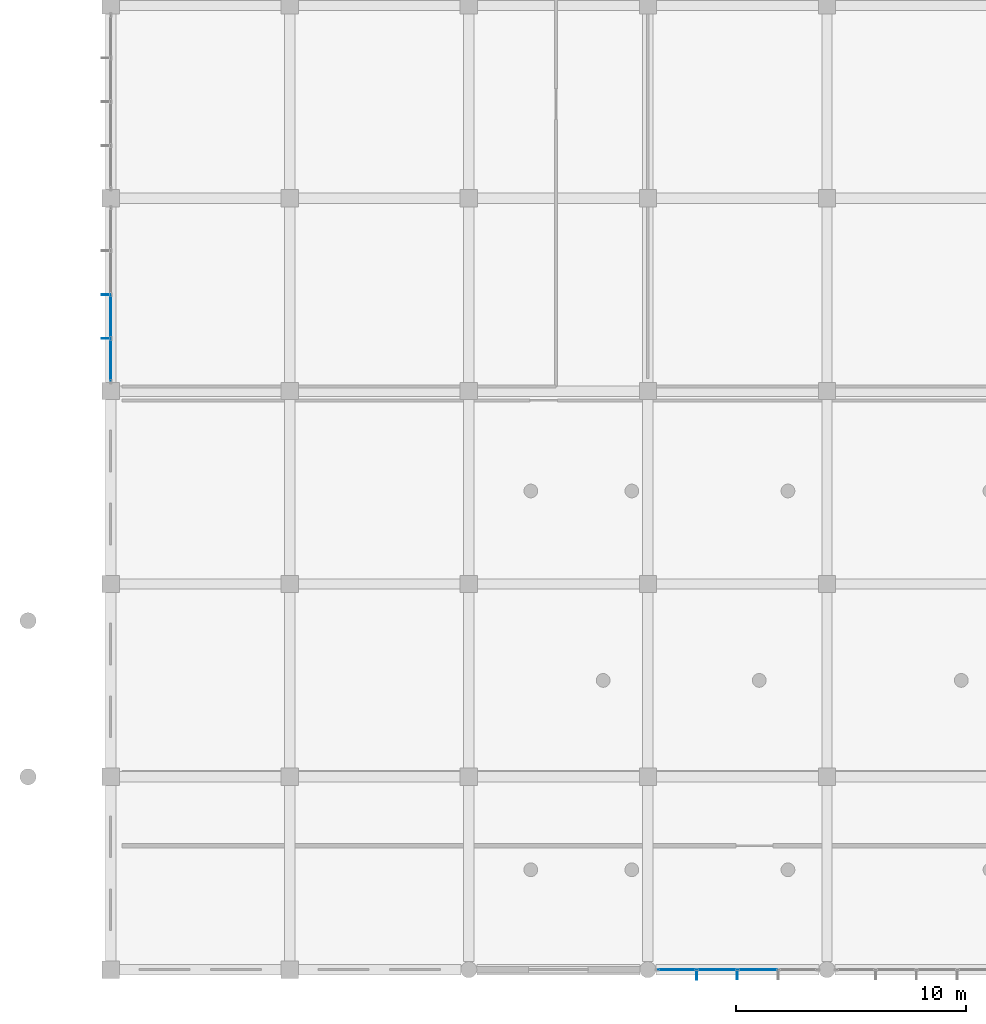
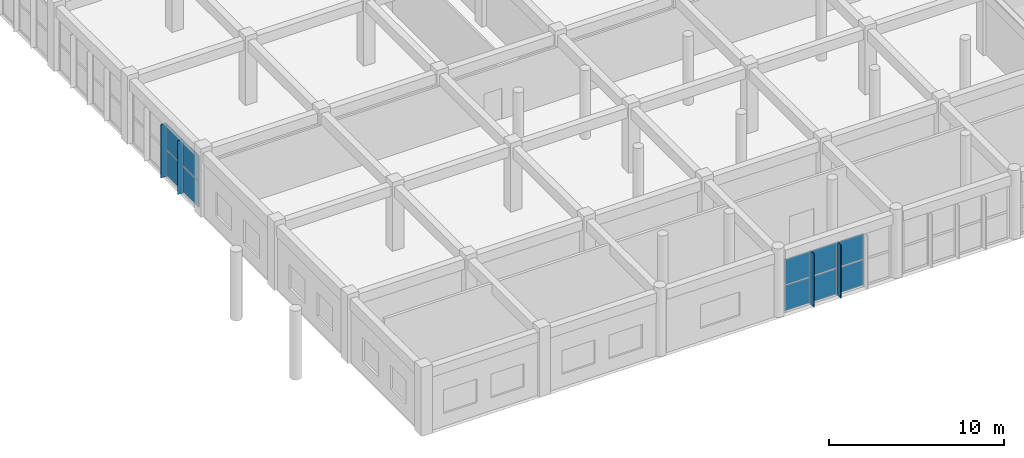
# One storey, part 126 of 167: 14 plates, 2 elements without a shape of their own.
"""IFC4 building model written with IfcOpenShell, lengths in metres."""

from ifc_helpers import new_model, si_unit, direction, frame, origin, origin_2d, place, context, subcontext, project, spatial, polyline, rectangle, outline, extrude, material, layer, layer_set, type_object, element, aggregate, save


model = new_model("IFC4")

# Units and contexts
model_context = context("Model", 3, precision=1e-05, world=origin(), true_north=direction((0.0, 1.0)))
body_context = subcontext(model_context, "Body", "Model", "MODEL_VIEW")
ifc_project = project(units=[si_unit("LENGTHUNIT", "METRE"), si_unit("AREAUNIT", "SQUARE_METRE"), si_unit("VOLUMEUNIT", "CUBIC_METRE"), si_unit("PLANEANGLEUNIT", "RADIAN"), si_unit("MASSUNIT", "GRAM", prefix="KILO")], contexts=[model_context])

# Site, building, storey
site_placement = place(None, origin())
site = spatial("IfcSite", under=ifc_project, at=site_placement, CompositionType="ELEMENT")
building_placement = place(site_placement, origin())
building = spatial("IfcBuilding", under=site, at=building_placement, Name="Zizhar Promenade General Hospital", CompositionType="ELEMENT")
storey_placement = place(building_placement, frame((0.0, 0.0, 9.60009765625)))
storey = spatial("IfcBuildingStorey", under=building, at=storey_placement, Name="L02", CompositionType="ELEMENT", Elevation=9.60009765625)

# Curtain wall, plates
ifc_material_1 = material(Name="Anodised aluminium 6063-T6 and low-E glass", Category="aluminium")
ifc_layer_1 = layer(ifc_material_1, 0.159912109375)
ifc_layer_set_1 = layer_set([ifc_layer_1], Name="Anodised aluminium 6063-T6 and low-E glass")
curtain_wall_type_1 = type_object("IfcCurtainWallType", Name="CW-DT-MOD1", PredefinedType="NOTDEFINED", material=ifc_layer_set_1)
curtain_wall_1_placement = place(storey_placement, origin())
curtain_wall_1 = element("IfcCurtainWall", 1, at=curtain_wall_1_placement, inside=storey, type_object=curtain_wall_type_1, Name="Riverfront Clinical Curtain Wall L02-2", PredefinedType="NOTDEFINED")
ifc_material_2 = material(Name="Low-E solar-control glass", Category="glass")
ifc_layer_2 = layer(ifc_material_2, 0.031982421875)
ifc_layer_set_2 = layer_set([ifc_layer_2], Name="Low-E solar-control glass")
plate_type_1 = type_object("IfcPlateType", Name="CWP-GLZ-32", PredefinedType="CURTAIN_PANEL", material=ifc_layer_set_2)
plate_1_placement = place(storey_placement, frame((28.18505859375, 0.0, 0.06005859375), z_axis=(0.0, 0.0, 1.0), x_axis=(-1.0, 0.0, 0.0)))
plate_1 = element("IfcPlate", 2, at=plate_1_placement, type_object=plate_type_1, Name="CW-07 panel 2.1", PredefinedType="CURTAIN_PANEL", context=body_context, shape_type="SweptSolid", body=[
    extrude(rectangle(XDim=1.68994140625, YDim=0.031982421875, at=origin_2d()), origin(), (0.0, 0.0, 1.0), 1.77490234375),
])
plate_2_placement = place(storey_placement, frame((28.18505859375, 0.0, 1.89501953125), z_axis=(0.0, 0.0, 1.0), x_axis=(-1.0, 0.0, 0.0)))
plate_2 = element("IfcPlate", 3, at=plate_2_placement, type_object=plate_type_1, Name="CW-07 panel 2.2", PredefinedType="CURTAIN_PANEL", context=body_context, shape_type="SweptSolid", body=[
    extrude(rectangle(XDim=1.68994140625, YDim=0.031982421875, at=origin_2d()), origin(), (0.0, 0.0, 1.0), 1.77490234375),
])
plate_3_placement = place(storey_placement, frame((26.4150390625, 0.0, 0.06005859375), z_axis=(0.0, 0.0, 1.0), x_axis=(-1.0, 0.0, 0.0)))
plate_3 = element("IfcPlate", 4, at=plate_3_placement, type_object=plate_type_1, Name="CW-07 panel 3.1", PredefinedType="CURTAIN_PANEL", context=body_context, shape_type="SweptSolid", body=[
    extrude(rectangle(XDim=1.68994140625, YDim=0.031982421875, at=origin_2d()), origin(), (0.0, 0.0, 1.0), 1.77490234375),
])
plate_4_placement = place(storey_placement, frame((26.4150390625, 0.0, 1.89501953125), z_axis=(0.0, 0.0, 1.0), x_axis=(-1.0, 0.0, 0.0)))
plate_4 = element("IfcPlate", 5, at=plate_4_placement, type_object=plate_type_1, Name="CW-07 panel 3.2", PredefinedType="CURTAIN_PANEL", context=body_context, shape_type="SweptSolid", body=[
    extrude(rectangle(XDim=1.68994140625, YDim=0.031982421875, at=origin_2d()), origin(), (0.0, 0.0, 1.0), 1.77490234375),
])
plate_5_placement = place(storey_placement, frame((24.6650390625, 0.0, 0.06005859375), z_axis=(0.0, 0.0, 1.0), x_axis=(-1.0, 0.0, 0.0)))
plate_5 = element("IfcPlate", 6, at=plate_5_placement, type_object=plate_type_1, Name="CW-07 panel 4.1", PredefinedType="CURTAIN_PANEL", context=body_context, shape_type="SweptSolid", body=[
    extrude(rectangle(XDim=1.64990234375, YDim=0.031982421875, at=origin_2d()), origin(), (0.0, 0.0, 1.0), 1.77490234375),
])
plate_6_placement = place(storey_placement, frame((24.6650390625, 0.0, 1.89501953125), z_axis=(0.0, 0.0, 1.0), x_axis=(-1.0, 0.0, 0.0)))
plate_6 = element("IfcPlate", 7, at=plate_6_placement, type_object=plate_type_1, Name="CW-07 panel 4.2", PredefinedType="CURTAIN_PANEL", context=body_context, shape_type="SweptSolid", body=[
    extrude(rectangle(XDim=1.64990234375, YDim=0.031982421875, at=origin_2d()), origin(), (0.0, 0.0, 1.0), 1.77490234375),
])
aggregate(curtain_wall_1, [plate_1, plate_2, plate_3, plate_4, plate_5, plate_6])

ifc_material_3 = material(Name="Anodised aluminium 6063-T6 and low-E glass", Category="aluminium")
ifc_layer_3 = layer(ifc_material_3, 0.159912109375)
ifc_layer_set_3 = layer_set([ifc_layer_3], Name="Anodised aluminium 6063-T6 and low-E glass")
curtain_wall_type_2 = type_object("IfcCurtainWallType", Name="CW-ED-FRONT", PredefinedType="NOTDEFINED", material=ifc_layer_set_3)
curtain_wall_2_placement = place(storey_placement, origin())
curtain_wall_2 = element("IfcCurtainWall", 8, at=curtain_wall_2_placement, inside=storey, type_object=curtain_wall_type_2, Name="West Diagnostic Arm Glazed Curtain Wall L02-W3", PredefinedType="NOTDEFINED")
plate_7_placement = place(storey_placement, frame((0.0, 26.554931640625, 0.06005859375), z_axis=(0.0, 0.0, 1.0), x_axis=(0.0, 1.0, 0.0)))
plate_7 = element("IfcPlate", 9, at=plate_7_placement, type_object=plate_type_1, Name="CW-06 panel 1.1", PredefinedType="CURTAIN_PANEL", context=body_context, shape_type="SweptSolid", body=[
    extrude(rectangle(XDim=1.7900390625, YDim=0.031982421875, at=origin_2d()), origin(), (0.0, 0.0, 1.0), 1.77490234375),
])
plate_8_placement = place(storey_placement, frame((0.0, 26.554931640625, 1.89501953125), z_axis=(0.0, 0.0, 1.0), x_axis=(0.0, 1.0, 0.0)))
plate_8 = element("IfcPlate", 10, at=plate_8_placement, type_object=plate_type_1, Name="CW-06 panel 1.2", PredefinedType="CURTAIN_PANEL", context=body_context, shape_type="SweptSolid", body=[
    extrude(rectangle(XDim=1.7900390625, YDim=0.031982421875, at=origin_2d()), origin(), (0.0, 0.0, 1.0), 1.77490234375),
])
plate_9_placement = place(storey_placement, frame((0.0, 28.445068359375, 0.06005859375), z_axis=(0.0, 0.0, 1.0), x_axis=(0.0, 1.0, 0.0)))
plate_9 = element("IfcPlate", 11, at=plate_9_placement, type_object=plate_type_1, Name="CW-06 panel 2.1", PredefinedType="CURTAIN_PANEL", context=body_context, shape_type="SweptSolid", body=[
    extrude(rectangle(XDim=1.830078125, YDim=0.031982421875, at=origin_2d()), origin(), (0.0, 0.0, 1.0), 1.77490234375),
])
plate_10_placement = place(storey_placement, frame((0.0, 28.445068359375, 1.89501953125), z_axis=(0.0, 0.0, 1.0), x_axis=(0.0, 1.0, 0.0)))
plate_10 = element("IfcPlate", 12, at=plate_10_placement, type_object=plate_type_1, Name="CW-06 panel 2.2", PredefinedType="CURTAIN_PANEL", context=body_context, shape_type="SweptSolid", body=[
    extrude(rectangle(XDim=1.830078125, YDim=0.031982421875, at=origin_2d()), origin(), (0.0, 0.0, 1.0), 1.77490234375),
])
aggregate(curtain_wall_2, [plate_7, plate_8, plate_9, plate_10])

# Plates
ifc_material_4 = material(Name="Anodised aluminium 6063-T6", Category="aluminium")
ifc_layer_4 = layer(ifc_material_4, 0.035888671875)
ifc_layer_set_4 = layer_set([ifc_layer_4], Name="Anodised aluminium 6063-T6")
plate_type_2 = type_object("IfcPlateType", Name="FIN-ALU-380", PredefinedType="USERDEFINED", material=ifc_layer_set_4)
plate_11_placement = place(storey_placement, origin())
element("IfcPlate", 13, at=plate_11_placement, inside=storey, type_object=plate_type_2, Name="West Diagnostic Arm Glazed Curtain Wall L02-W3 Solar Fin 1", ObjectType="SOLAR_SHADE", PredefinedType="USERDEFINED", context=body_context, shape_type="SweptSolid", body=[
    extrude(outline(polyline([(0.0, 27.471923828125), (0.0, 27.508056640625), (-0.3798828125, 27.508056640625), (-0.3798828125, 27.471923828125), (0.0, 27.471923828125)])), origin(), (0.0, 0.0, 1.0), 3.72998046875),
])
plate_12_placement = place(storey_placement, origin())
element("IfcPlate", 14, at=plate_12_placement, inside=storey, type_object=plate_type_2, Name="West Diagnostic Arm Glazed Curtain Wall L02-W3 Solar Fin 2", ObjectType="SOLAR_SHADE", PredefinedType="USERDEFINED", context=body_context, shape_type="SweptSolid", body=[
    extrude(outline(polyline([(0.0, 29.382080078125), (0.0, 29.41796875), (-0.3798828125, 29.41796875), (-0.3798828125, 29.382080078125), (0.0, 29.382080078125)])), origin(), (0.0, 0.0, 1.0), 3.72998046875),
])
ifc_material_5 = material(Name="Anodised aluminium 6063-T6", Category="aluminium")
ifc_layer_5 = layer(ifc_material_5, 0.0400390625)
ifc_layer_set_5 = layer_set([ifc_layer_5], Name="Anodised aluminium 6063-T6")
plate_type_3 = type_object("IfcPlateType", Name="FIN-ALU-450", PredefinedType="USERDEFINED", material=ifc_layer_set_5)
plate_13_placement = place(storey_placement, origin())
element("IfcPlate", 15, at=plate_13_placement, inside=storey, type_object=plate_type_3, Name="Riverfront Clinical Curtain Wall L02-2 Solar Fin 2", ObjectType="SOLAR_SHADE", PredefinedType="USERDEFINED", context=body_context, shape_type="SweptSolid", body=[
    extrude(outline(polyline([(27.320068359375, 0.0), (27.280029296875, 0.0), (27.280029296875, -0.449951171875), (27.320068359375, -0.449951171875), (27.320068359375, 0.0)])), origin(), (0.0, 0.0, 1.0), 3.72998046875),
])
plate_14_placement = place(storey_placement, origin())
element("IfcPlate", 16, at=plate_14_placement, inside=storey, type_object=plate_type_3, Name="Riverfront Clinical Curtain Wall L02-2 Solar Fin 3", ObjectType="SOLAR_SHADE", PredefinedType="USERDEFINED", context=body_context, shape_type="SweptSolid", body=[
    extrude(outline(polyline([(25.550048828125, 0.0), (25.510009765625, 0.0), (25.510009765625, -0.449951171875), (25.550048828125, -0.449951171875), (25.550048828125, 0.0)])), origin(), (0.0, 0.0, 1.0), 3.72998046875),
])

save(model, "model.ifc")
